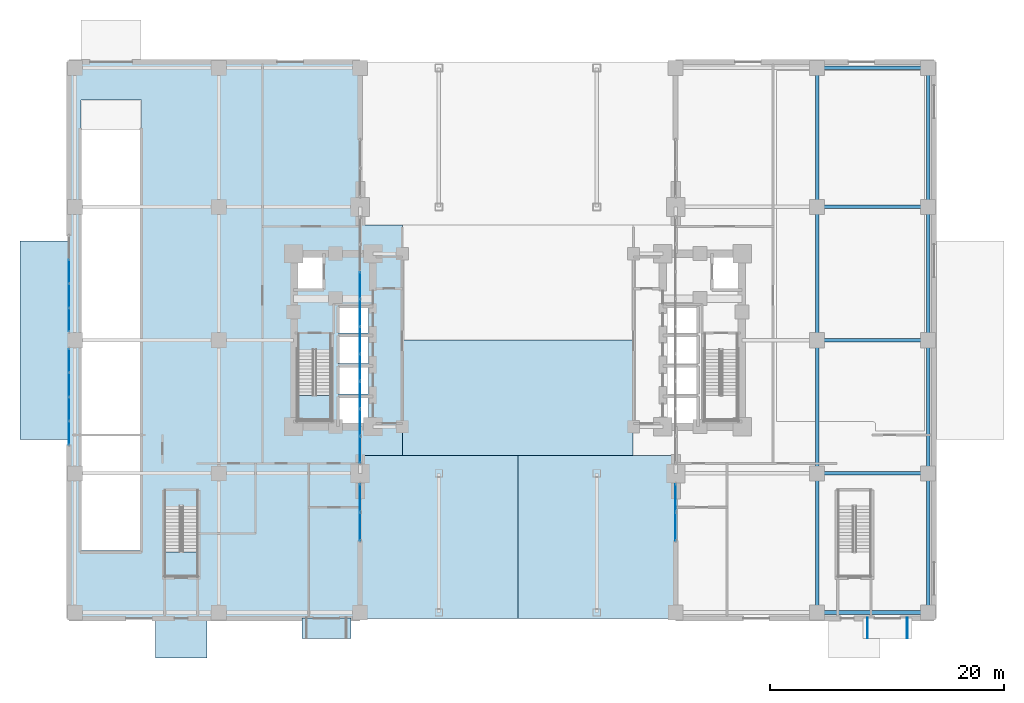
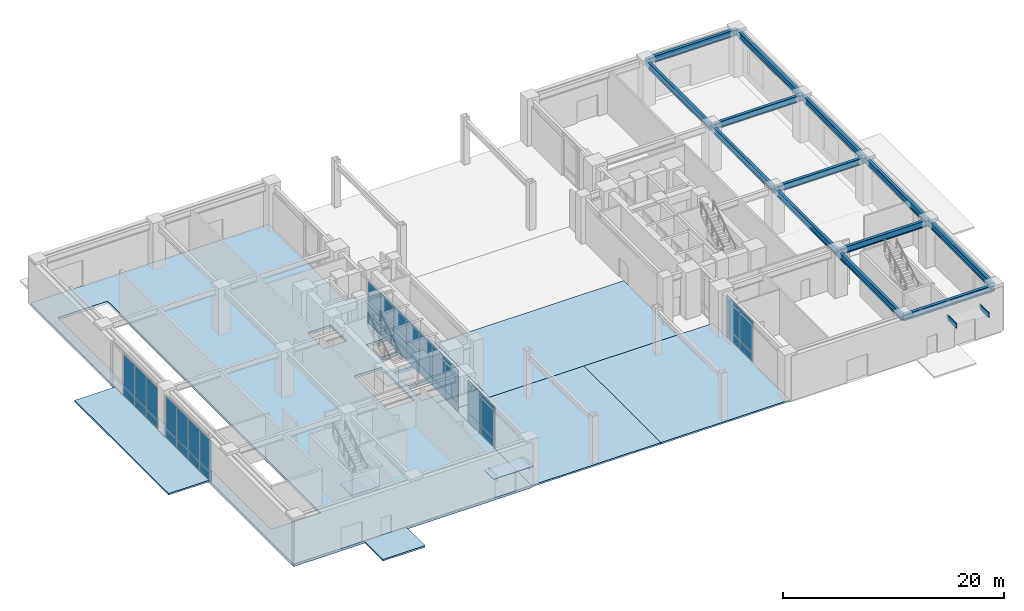
# One storey, part 15 of 23: 37 plates, 13 beams, 8 slabs, 2 members, 8 elements without a shape of their own.
"""IFC4 building model written with IfcOpenShell, lengths in metres."""

from ifc_helpers import new_model, si_unit, direction, frame, origin, origin_2d, place, context, subcontext, project, spatial, polyline, rectangle, i_section, outline, extrude, material, layer, layer_set, material_profile, profile_set, type_object, element, aggregate, save


model = new_model("IFC4")

# Units and contexts
model_context = context("Model", 3, precision=1e-05, world=origin(), true_north=direction((0.0, 1.0)))
body_context = subcontext(model_context, "Body", "Model", "MODEL_VIEW")
ifc_project = project(units=[si_unit("LENGTHUNIT", "METRE"), si_unit("AREAUNIT", "SQUARE_METRE"), si_unit("VOLUMEUNIT", "CUBIC_METRE"), si_unit("PLANEANGLEUNIT", "RADIAN"), si_unit("MASSUNIT", "GRAM", prefix="KILO")], contexts=[model_context])

# Site, building, storey
site_placement = place(None, origin())
site = spatial("IfcSite", under=ifc_project, at=site_placement, CompositionType="ELEMENT")
building_placement = place(site_placement, origin())
building = spatial("IfcBuilding", under=site, at=building_placement, Name="Voryun Gate Residences", CompositionType="ELEMENT")
storey_placement = place(building_placement, origin())
storey = spatial("IfcBuildingStorey", under=building, at=storey_placement, Name="L00", CompositionType="ELEMENT", Elevation=0.0)

# Beams
ifc_material_1 = material(Name="Steel SM355", Category="steel")
ifc_material_profile_1 = material_profile(ifc_material_1, i_section(OverallWidth=0.300048828125, OverallDepth=0.699951171875, WebThickness=0.012939453125, FlangeThickness=0.02392578125, FilletRadius=0.01806640625, at=origin_2d()), Name="H-700x300x13x24")
ifc_profile_set_1 = profile_set([ifc_material_profile_1], Name="Steel SM355")
beam_type = type_object("IfcBeamType", Name="BM_GIRD_700", PredefinedType="USERDEFINED", material=ifc_profile_set_1)
for number, where, z_axis, x_axis, name in (
    (1, (25.60009765625, -23.300048828125, 4.570068359375), (1.0, 0.0, 0.0), (0.0, 1.0, 0.0), "BM-L00-PEX--23.3-1"),
    (2, (25.60009765625, -11.39990234375, 4.570068359375), (1.0, 0.0, 0.0), (0.0, 1.0, 0.0), "BM-L00-PEX--11.4-1"),
    (3, (25.60009765625, 0.0, 4.570068359375), (1.0, 0.0, 0.0), (0.0, 1.0, 0.0), "BM-L00-PEX-+0.0-1"),
    (4, (25.60009765625, 11.39990234375, 4.570068359375), (1.0, 0.0, 0.0), (0.0, 1.0, 0.0), "BM-L00-PEX-+11.4-1"),
    (5, (25.60009765625, 23.300048828125, 4.570068359375), (1.0, 0.0, 0.0), (0.0, 1.0, 0.0), "BM-L00-PEX-+23.3-1"),
):
    element("IfcBeam", number, at=place(storey_placement, frame(where, z_axis=z_axis, x_axis=x_axis)), inside=storey, type_object=beam_type, Name=name, ObjectType="GIRDER", PredefinedType="USERDEFINED", context=body_context, shape_type="SweptSolid", body=[
        extrude(i_section(OverallWidth=0.300048828125, OverallDepth=0.699951171875, WebThickness=0.012939453125, FlangeThickness=0.02392578125, FilletRadius=0.01806640625, at=origin_2d()), origin(), (0.0, 0.0, 1.0), 9.5),
    ])
beam_1_placement = place(storey_placement, frame((25.60009765625, -23.300048828125, 4.570068359375), z_axis=(0.0, 1.0, 0.0), x_axis=(-1.0, 0.0, 0.0)))
element("IfcBeam", 6, at=beam_1_placement, inside=storey, type_object=beam_type, Name="BM-L00-PEY-+25.6-0", ObjectType="GIRDER", PredefinedType="USERDEFINED", context=body_context, shape_type="SweptSolid", body=[
    extrude(i_section(OverallWidth=0.300048828125, OverallDepth=0.699951171875, WebThickness=0.012939453125, FlangeThickness=0.02392578125, FilletRadius=0.01806640625, at=origin_2d()), origin(), (0.0, 0.0, 1.0), 11.900146484375),
])
for number, where, z_axis, x_axis, name in (
    (7, (25.60009765625, -11.39990234375, 4.570068359375), (0.0, 1.0, 0.0), (-1.0, 0.0, 0.0), "BM-L00-PEY-+25.6-1"),
    (8, (25.60009765625, 0.0, 4.570068359375), (0.0, 1.0, 0.0), (-1.0, 0.0, 0.0), "BM-L00-PEY-+25.6-2"),
):
    element("IfcBeam", number, at=place(storey_placement, frame(where, z_axis=z_axis, x_axis=x_axis)), inside=storey, type_object=beam_type, Name=name, ObjectType="GIRDER", PredefinedType="USERDEFINED", context=body_context, shape_type="SweptSolid", body=[
        extrude(i_section(OverallWidth=0.300048828125, OverallDepth=0.699951171875, WebThickness=0.012939453125, FlangeThickness=0.02392578125, FilletRadius=0.01806640625, at=origin_2d()), origin(), (0.0, 0.0, 1.0), 11.39990234375),
    ])
for number, where, z_axis, x_axis, name in (
    (9, (25.60009765625, 11.39990234375, 4.570068359375), (0.0, 1.0, 0.0), (-1.0, 0.0, 0.0), "BM-L00-PEY-+25.6-3"),
    (10, (35.10009765625, -23.300048828125, 4.570068359375), (0.0, 1.0, 0.0), (-1.0, 0.0, 0.0), "BM-L00-PEY-+35.1-0"),
):
    element("IfcBeam", number, at=place(storey_placement, frame(where, z_axis=z_axis, x_axis=x_axis)), inside=storey, type_object=beam_type, Name=name, ObjectType="GIRDER", PredefinedType="USERDEFINED", context=body_context, shape_type="SweptSolid", body=[
        extrude(i_section(OverallWidth=0.300048828125, OverallDepth=0.699951171875, WebThickness=0.012939453125, FlangeThickness=0.02392578125, FilletRadius=0.01806640625, at=origin_2d()), origin(), (0.0, 0.0, 1.0), 11.900146484375),
    ])
for number, where, z_axis, x_axis, name in (
    (11, (35.10009765625, -11.39990234375, 4.570068359375), (0.0, 1.0, 0.0), (-1.0, 0.0, 0.0), "BM-L00-PEY-+35.1-1"),
    (12, (35.10009765625, 0.0, 4.570068359375), (0.0, 1.0, 0.0), (-1.0, 0.0, 0.0), "BM-L00-PEY-+35.1-2"),
):
    element("IfcBeam", number, at=place(storey_placement, frame(where, z_axis=z_axis, x_axis=x_axis)), inside=storey, type_object=beam_type, Name=name, ObjectType="GIRDER", PredefinedType="USERDEFINED", context=body_context, shape_type="SweptSolid", body=[
        extrude(i_section(OverallWidth=0.300048828125, OverallDepth=0.699951171875, WebThickness=0.012939453125, FlangeThickness=0.02392578125, FilletRadius=0.01806640625, at=origin_2d()), origin(), (0.0, 0.0, 1.0), 11.39990234375),
    ])
beam_2_placement = place(storey_placement, frame((35.10009765625, 11.39990234375, 4.570068359375), z_axis=(0.0, 1.0, 0.0), x_axis=(-1.0, 0.0, 0.0)))
element("IfcBeam", 13, at=beam_2_placement, inside=storey, type_object=beam_type, Name="BM-L00-PEY-+35.1-3", ObjectType="GIRDER", PredefinedType="USERDEFINED", context=body_context, shape_type="SweptSolid", body=[
    extrude(i_section(OverallWidth=0.300048828125, OverallDepth=0.699951171875, WebThickness=0.012939453125, FlangeThickness=0.02392578125, FilletRadius=0.01806640625, at=origin_2d()), origin(), (0.0, 0.0, 1.0), 11.900146484375),
])

# Curtain wall, members
ifc_material_2 = material(Name="Anodised aluminium", Category="aluminium")
ifc_layer_1 = layer(ifc_material_2, 0.239990234375, Name="CW_SYS_ARCH_DARK_GLASS")
ifc_layer_set_1 = layer_set([ifc_layer_1], Name="Anodised aluminium")
curtain_wall_type_1 = type_object("IfcCurtainWallType", Name="CW_SYS_ARCH_DARK_GLASS", PredefinedType="NOTDEFINED", material=ifc_layer_set_1)
curtain_wall_1_placement = place(storey_placement, origin())
curtain_wall_1 = element("IfcCurtainWall", 14, at=curtain_wall_1_placement, inside=storey, type_object=curtain_wall_type_1, Name="Curtain wall CW2-L00-EP-M", PredefinedType="NOTDEFINED")
ifc_material_3 = material(Name="Anodised aluminium", Category="aluminium")
ifc_material_profile_2 = material_profile(ifc_material_3, rectangle(XDim=0.080078125, YDim=0.550048828125, at=origin_2d()), Name="ALU-EAVE-80x550")
ifc_profile_set_2 = profile_set([ifc_material_profile_2], Name="Anodised aluminium")
member_type = type_object("IfcMemberType", Name="MBR_PAGODA_EAVE_FIN", PredefinedType="USERDEFINED", material=ifc_profile_set_2)
member_1_placement = place(storey_placement, frame((29.922119140625, -23.75, 3.419921875), z_axis=(0.0, -1.0, 0.0), x_axis=(1.0, 0.0, 0.0)))
member_1 = element("IfcMember", 15, at=member_1_placement, type_object=member_type, Name="Canopy outrigger arm CBR-L00-EP-1-1", ObjectType="SUNSHADE", PredefinedType="USERDEFINED", context=body_context, shape_type="SweptSolid", body=[
    extrude(rectangle(XDim=0.080078125, YDim=0.550048828125, at=origin_2d()), origin(), (0.0, 0.0, 1.0), 1.75),
])
member_2_placement = place(storey_placement, frame((33.322021484375, -23.75, 3.419921875), z_axis=(0.0, -1.0, 0.0), x_axis=(1.0, 0.0, 0.0)))
member_2 = element("IfcMember", 16, at=member_2_placement, type_object=member_type, Name="Canopy outrigger arm CBR-L00-EP-1-2", ObjectType="SUNSHADE", PredefinedType="USERDEFINED", context=body_context, shape_type="SweptSolid", body=[
    extrude(rectangle(XDim=0.080078125, YDim=0.550048828125, at=origin_2d()), origin(), (0.0, 0.0, 1.0), 1.75),
])
aggregate(curtain_wall_1, [member_1, member_2])

# Plate
ifc_material_4 = material(Name="Anodised aluminium", Category="aluminium")
ifc_layer_2 = layer(ifc_material_4, 0.06005859375, Name="PLT_EAVE_SOFFIT_BLACK")
ifc_layer_set_2 = layer_set([ifc_layer_2], Name="Anodised aluminium")
plate_type_1 = type_object("IfcPlateType", Name="PLT_EAVE_SOFFIT_BLACK", PredefinedType="USERDEFINED", material=ifc_layer_set_2)
plate_1_placement = place(storey_placement, frame((-16.382080078125, -24.64990234375, 3.389892578125), z_axis=(0.0, 0.0, 1.0), x_axis=(1.0, 0.0, 0.0)))
element("IfcPlate", 17, at=plate_1_placement, inside=storey, type_object=plate_type_1, Name="Entrance canopy CNP-L00-WP-1", ObjectType="FLANGE_PLATE", PredefinedType="USERDEFINED", context=body_context, shape_type="SweptSolid", body=[
    extrude(rectangle(XDim=4.199951171875, YDim=1.75, at=origin_2d()), origin(), (0.0, 0.0, 1.0), 0.06005859375),
])

# Curtain wall, plates
curtain_wall_2_placement = place(storey_placement, origin())
curtain_wall_2 = element("IfcCurtainWall", 18, at=curtain_wall_2_placement, inside=storey, type_object=curtain_wall_type_1, Name="Curtain wall CW2-L00-WP-S", PredefinedType="NOTDEFINED")
ifc_material_5 = material(Name="Laminated low-E glass", Category="glass")
ifc_layer_3 = layer(ifc_material_5, 0.048095703125, Name="PLT_GLASS_DARK_POD")
ifc_layer_set_3 = layer_set([ifc_layer_3], Name="Laminated low-E glass")
plate_type_2 = type_object("IfcPlateType", Name="PLT_GLASS_DARK_POD", PredefinedType="CURTAIN_PANEL", material=ifc_layer_set_3)
plate_2_placement = place(storey_placement, frame((-13.5, -15.9462890625, 0.06005859375), z_axis=(0.0, 0.0, 1.0), x_axis=(0.0, 1.0, 0.0)))
plate_2 = element("IfcPlate", 19, at=plate_2_placement, type_object=plate_type_2, Name="CW2 panel 1.1", PredefinedType="CURTAIN_PANEL", context=body_context, shape_type="SweptSolid", body=[
    extrude(rectangle(XDim=2.387451171875, YDim=0.028076171875, at=origin_2d()), origin(), (0.0, 0.0, 1.0), 0.9599609375),
])
plate_3_placement = place(storey_placement, frame((-13.5, -15.9462890625, 1.080078125), z_axis=(0.0, 0.0, 1.0), x_axis=(0.0, 1.0, 0.0)))
plate_3 = element("IfcPlate", 20, at=plate_3_placement, type_object=plate_type_2, Name="CW2 panel 1.2", PredefinedType="CURTAIN_PANEL", context=body_context, shape_type="SweptSolid", body=[
    extrude(rectangle(XDim=2.387451171875, YDim=0.028076171875, at=origin_2d()), origin(), (0.0, 0.0, 1.0), 3.56005859375),
])
plate_4_placement = place(storey_placement, frame((-13.5, -13.498779296875, 0.06005859375), z_axis=(0.0, 0.0, 1.0), x_axis=(0.0, 1.0, 0.0)))
plate_4 = element("IfcPlate", 21, at=plate_4_placement, type_object=plate_type_2, Name="CW2 panel 2.1", PredefinedType="CURTAIN_PANEL", context=body_context, shape_type="SweptSolid", body=[
    extrude(rectangle(XDim=2.387451171875, YDim=0.028076171875, at=origin_2d()), origin(), (0.0, 0.0, 1.0), 0.9599609375),
])
plate_5_placement = place(storey_placement, frame((-13.5, -13.498779296875, 1.080078125), z_axis=(0.0, 0.0, 1.0), x_axis=(0.0, 1.0, 0.0)))
plate_5 = element("IfcPlate", 22, at=plate_5_placement, type_object=plate_type_2, Name="CW2 panel 2.2", PredefinedType="CURTAIN_PANEL", context=body_context, shape_type="SweptSolid", body=[
    extrude(rectangle(XDim=2.387451171875, YDim=0.028076171875, at=origin_2d()), origin(), (0.0, 0.0, 1.0), 3.56005859375),
])
aggregate(curtain_wall_2, [plate_2, plate_3, plate_4, plate_5])

curtain_wall_3_placement = place(storey_placement, origin())
curtain_wall_3 = element("IfcCurtainWall", 23, at=curtain_wall_3_placement, inside=storey, type_object=curtain_wall_type_1, Name="Curtain wall CW2-L00-WP-M", PredefinedType="NOTDEFINED")
plate_6_placement = place(storey_placement, frame((-13.5, -9.3671875, 0.06005859375), z_axis=(0.0, 0.0, 1.0), x_axis=(0.0, 1.0, 0.0)))
plate_6 = element("IfcPlate", 24, at=plate_6_placement, type_object=plate_type_2, Name="CW2 panel 1.1", PredefinedType="CURTAIN_PANEL", context=body_context, shape_type="SweptSolid", body=[
    extrude(rectangle(XDim=2.255615234375, YDim=0.028076171875, at=origin_2d()), origin(), (0.0, 0.0, 1.0), 0.9599609375),
])
plate_7_placement = place(storey_placement, frame((-13.5, -9.3671875, 1.080078125), z_axis=(0.0, 0.0, 1.0), x_axis=(0.0, 1.0, 0.0)))
plate_7 = element("IfcPlate", 25, at=plate_7_placement, type_object=plate_type_2, Name="CW2 panel 1.2", PredefinedType="CURTAIN_PANEL", context=body_context, shape_type="SweptSolid", body=[
    extrude(rectangle(XDim=2.255615234375, YDim=0.028076171875, at=origin_2d()), origin(), (0.0, 0.0, 1.0), 3.56005859375),
])
plate_8_placement = place(storey_placement, frame((-13.5, -7.03662109375, 0.06005859375), z_axis=(0.0, 0.0, 1.0), x_axis=(0.0, 1.0, 0.0)))
plate_8 = element("IfcPlate", 26, at=plate_8_placement, type_object=plate_type_2, Name="CW2 panel 2.1", PredefinedType="CURTAIN_PANEL", context=body_context, shape_type="SweptSolid", body=[
    extrude(rectangle(XDim=2.28564453125, YDim=0.028076171875, at=origin_2d()), origin(), (0.0, 0.0, 1.0), 0.9599609375),
])
plate_9_placement = place(storey_placement, frame((-13.5, -7.03662109375, 1.080078125), z_axis=(0.0, 0.0, 1.0), x_axis=(0.0, 1.0, 0.0)))
plate_9 = element("IfcPlate", 27, at=plate_9_placement, type_object=plate_type_2, Name="CW2 panel 2.2", PredefinedType="CURTAIN_PANEL", context=body_context, shape_type="SweptSolid", body=[
    extrude(rectangle(XDim=2.28564453125, YDim=0.028076171875, at=origin_2d()), origin(), (0.0, 0.0, 1.0), 3.56005859375),
])
plate_10_placement = place(storey_placement, frame((-13.5, -4.691162109375, 0.06005859375), z_axis=(0.0, 0.0, 1.0), x_axis=(0.0, 1.0, 0.0)))
plate_10 = element("IfcPlate", 28, at=plate_10_placement, type_object=plate_type_2, Name="CW2 panel 3.1", PredefinedType="CURTAIN_PANEL", context=body_context, shape_type="SweptSolid", body=[
    extrude(rectangle(XDim=2.28564453125, YDim=0.028076171875, at=origin_2d()), origin(), (0.0, 0.0, 1.0), 0.9599609375),
])
plate_11_placement = place(storey_placement, frame((-13.5, -4.691162109375, 1.080078125), z_axis=(0.0, 0.0, 1.0), x_axis=(0.0, 1.0, 0.0)))
plate_11 = element("IfcPlate", 29, at=plate_11_placement, type_object=plate_type_2, Name="CW2 panel 3.2", PredefinedType="CURTAIN_PANEL", context=body_context, shape_type="SweptSolid", body=[
    extrude(rectangle(XDim=2.28564453125, YDim=0.028076171875, at=origin_2d()), origin(), (0.0, 0.0, 1.0), 3.56005859375),
])
plate_12_placement = place(storey_placement, frame((-13.5, -2.345458984375, 0.06005859375), z_axis=(0.0, 0.0, 1.0), x_axis=(0.0, 1.0, 0.0)))
plate_12 = element("IfcPlate", 30, at=plate_12_placement, type_object=plate_type_2, Name="CW2 panel 4.1", PredefinedType="CURTAIN_PANEL", context=body_context, shape_type="SweptSolid", body=[
    extrude(rectangle(XDim=2.28564453125, YDim=0.028076171875, at=origin_2d()), origin(), (0.0, 0.0, 1.0), 0.9599609375),
])
plate_13_placement = place(storey_placement, frame((-13.5, -2.345458984375, 1.080078125), z_axis=(0.0, 0.0, 1.0), x_axis=(0.0, 1.0, 0.0)))
plate_13 = element("IfcPlate", 31, at=plate_13_placement, type_object=plate_type_2, Name="CW2 panel 4.2", PredefinedType="CURTAIN_PANEL", context=body_context, shape_type="SweptSolid", body=[
    extrude(rectangle(XDim=2.28564453125, YDim=0.028076171875, at=origin_2d()), origin(), (0.0, 0.0, 1.0), 3.56005859375),
])
plate_14_placement = place(storey_placement, frame((-13.5, 0.0, 0.06005859375), z_axis=(0.0, 0.0, 1.0), x_axis=(0.0, 1.0, 0.0)))
plate_14 = element("IfcPlate", 32, at=plate_14_placement, type_object=plate_type_2, Name="CW2 panel 5.1", PredefinedType="CURTAIN_PANEL", context=body_context, shape_type="SweptSolid", body=[
    extrude(rectangle(XDim=2.28564453125, YDim=0.028076171875, at=origin_2d()), origin(), (0.0, 0.0, 1.0), 0.9599609375),
])
plate_15_placement = place(storey_placement, frame((-13.5, 0.0, 1.080078125), z_axis=(0.0, 0.0, 1.0), x_axis=(0.0, 1.0, 0.0)))
plate_15 = element("IfcPlate", 33, at=plate_15_placement, type_object=plate_type_2, Name="CW2 panel 5.2", PredefinedType="CURTAIN_PANEL", context=body_context, shape_type="SweptSolid", body=[
    extrude(rectangle(XDim=2.28564453125, YDim=0.028076171875, at=origin_2d()), origin(), (0.0, 0.0, 1.0), 3.56005859375),
])
plate_16_placement = place(storey_placement, frame((-13.5, 2.345458984375, 0.06005859375), z_axis=(0.0, 0.0, 1.0), x_axis=(0.0, 1.0, 0.0)))
plate_16 = element("IfcPlate", 34, at=plate_16_placement, type_object=plate_type_2, Name="CW2 panel 6.1", PredefinedType="CURTAIN_PANEL", context=body_context, shape_type="SweptSolid", body=[
    extrude(rectangle(XDim=2.28564453125, YDim=0.028076171875, at=origin_2d()), origin(), (0.0, 0.0, 1.0), 0.9599609375),
])
plate_17_placement = place(storey_placement, frame((-13.5, 2.345458984375, 1.080078125), z_axis=(0.0, 0.0, 1.0), x_axis=(0.0, 1.0, 0.0)))
plate_17 = element("IfcPlate", 35, at=plate_17_placement, type_object=plate_type_2, Name="CW2 panel 6.2", PredefinedType="CURTAIN_PANEL", context=body_context, shape_type="SweptSolid", body=[
    extrude(rectangle(XDim=2.28564453125, YDim=0.028076171875, at=origin_2d()), origin(), (0.0, 0.0, 1.0), 3.56005859375),
])
plate_18_placement = place(storey_placement, frame((-13.5, 4.691162109375, 0.06005859375), z_axis=(0.0, 0.0, 1.0), x_axis=(0.0, 1.0, 0.0)))
plate_18 = element("IfcPlate", 36, at=plate_18_placement, type_object=plate_type_2, Name="CW2 panel 7.1", PredefinedType="CURTAIN_PANEL", context=body_context, shape_type="SweptSolid", body=[
    extrude(rectangle(XDim=2.28564453125, YDim=0.028076171875, at=origin_2d()), origin(), (0.0, 0.0, 1.0), 0.9599609375),
])
plate_19_placement = place(storey_placement, frame((-13.5, 4.691162109375, 1.080078125), z_axis=(0.0, 0.0, 1.0), x_axis=(0.0, 1.0, 0.0)))
plate_19 = element("IfcPlate", 37, at=plate_19_placement, type_object=plate_type_2, Name="CW2 panel 7.2", PredefinedType="CURTAIN_PANEL", context=body_context, shape_type="SweptSolid", body=[
    extrude(rectangle(XDim=2.28564453125, YDim=0.028076171875, at=origin_2d()), origin(), (0.0, 0.0, 1.0), 3.56005859375),
])
aggregate(curtain_wall_3, [plate_6, plate_7, plate_8, plate_9, plate_10, plate_11, plate_12, plate_13, plate_14, plate_15, plate_16, plate_17, plate_18, plate_19])

ifc_material_6 = material(Name="Anodised aluminium", Category="aluminium")
ifc_layer_4 = layer(ifc_material_6, 0.219970703125, Name="CW_SYS_POD_DARK_GLASS")
ifc_layer_set_4 = layer_set([ifc_layer_4], Name="Anodised aluminium")
curtain_wall_type_2 = type_object("IfcCurtainWallType", Name="CW_SYS_POD_DARK_GLASS", PredefinedType="NOTDEFINED", material=ifc_layer_set_4)
curtain_wall_4_placement = place(storey_placement, origin())
curtain_wall_4 = element("IfcCurtainWall", 38, at=curtain_wall_4_placement, inside=storey, type_object=curtain_wall_type_2, Name="Curtain wall CW1-L00-WPW-S", PredefinedType="NOTDEFINED")
plate_20_placement = place(storey_placement, frame((-38.39990234375, -7.94677734375, 0.06005859375), z_axis=(0.0, 0.0, 1.0), x_axis=(0.0, 1.0, 0.0)))
plate_20 = element("IfcPlate", 39, at=plate_20_placement, type_object=plate_type_2, Name="CW1 panel 1.1", PredefinedType="CURTAIN_PANEL", context=body_context, shape_type="SweptSolid", body=[
    extrude(rectangle(XDim=1.986328125, YDim=0.028076171875, at=origin_2d()), origin(), (0.0, 0.0, 1.0), 0.9599609375),
])
plate_21_placement = place(storey_placement, frame((-38.39990234375, -7.94677734375, 1.080078125), z_axis=(0.0, 0.0, 1.0), x_axis=(0.0, 1.0, 0.0)))
plate_21 = element("IfcPlate", 40, at=plate_21_placement, type_object=plate_type_2, Name="CW1 panel 1.2", PredefinedType="CURTAIN_PANEL", context=body_context, shape_type="SweptSolid", body=[
    extrude(rectangle(XDim=1.986328125, YDim=0.028076171875, at=origin_2d()), origin(), (0.0, 0.0, 1.0), 3.56005859375),
])
plate_22_placement = place(storey_placement, frame((-38.39990234375, -5.8857421875, 0.06005859375), z_axis=(0.0, 0.0, 1.0), x_axis=(0.0, 1.0, 0.0)))
plate_22 = element("IfcPlate", 41, at=plate_22_placement, type_object=plate_type_2, Name="CW1 panel 2.1", PredefinedType="CURTAIN_PANEL", context=body_context, shape_type="SweptSolid", body=[
    extrude(rectangle(XDim=2.016357421875, YDim=0.028076171875, at=origin_2d()), origin(), (0.0, 0.0, 1.0), 0.9599609375),
])
plate_23_placement = place(storey_placement, frame((-38.39990234375, -5.8857421875, 1.080078125), z_axis=(0.0, 0.0, 1.0), x_axis=(0.0, 1.0, 0.0)))
plate_23 = element("IfcPlate", 42, at=plate_23_placement, type_object=plate_type_2, Name="CW1 panel 2.2", PredefinedType="CURTAIN_PANEL", context=body_context, shape_type="SweptSolid", body=[
    extrude(rectangle(XDim=2.016357421875, YDim=0.028076171875, at=origin_2d()), origin(), (0.0, 0.0, 1.0), 3.56005859375),
])
plate_24_placement = place(storey_placement, frame((-38.39990234375, -3.809326171875, 0.06005859375), z_axis=(0.0, 0.0, 1.0), x_axis=(0.0, 1.0, 0.0)))
plate_24 = element("IfcPlate", 43, at=plate_24_placement, type_object=plate_type_2, Name="CW1 panel 3.1", PredefinedType="CURTAIN_PANEL", context=body_context, shape_type="SweptSolid", body=[
    extrude(rectangle(XDim=2.016357421875, YDim=0.028076171875, at=origin_2d()), origin(), (0.0, 0.0, 1.0), 0.9599609375),
])
plate_25_placement = place(storey_placement, frame((-38.39990234375, -3.809326171875, 1.080078125), z_axis=(0.0, 0.0, 1.0), x_axis=(0.0, 1.0, 0.0)))
plate_25 = element("IfcPlate", 44, at=plate_25_placement, type_object=plate_type_2, Name="CW1 panel 3.2", PredefinedType="CURTAIN_PANEL", context=body_context, shape_type="SweptSolid", body=[
    extrude(rectangle(XDim=2.016357421875, YDim=0.028076171875, at=origin_2d()), origin(), (0.0, 0.0, 1.0), 3.56005859375),
])
plate_26_placement = place(storey_placement, frame((-38.39990234375, -1.748046875, 0.06005859375), z_axis=(0.0, 0.0, 1.0), x_axis=(0.0, 1.0, 0.0)))
plate_26 = element("IfcPlate", 45, at=plate_26_placement, type_object=plate_type_2, Name="CW1 panel 4.1", PredefinedType="CURTAIN_PANEL", context=body_context, shape_type="SweptSolid", body=[
    extrude(rectangle(XDim=1.986328125, YDim=0.028076171875, at=origin_2d()), origin(), (0.0, 0.0, 1.0), 0.9599609375),
])
plate_27_placement = place(storey_placement, frame((-38.39990234375, -1.748046875, 1.080078125), z_axis=(0.0, 0.0, 1.0), x_axis=(0.0, 1.0, 0.0)))
plate_27 = element("IfcPlate", 46, at=plate_27_placement, type_object=plate_type_2, Name="CW1 panel 4.2", PredefinedType="CURTAIN_PANEL", context=body_context, shape_type="SweptSolid", body=[
    extrude(rectangle(XDim=1.986328125, YDim=0.028076171875, at=origin_2d()), origin(), (0.0, 0.0, 1.0), 3.56005859375),
])
aggregate(curtain_wall_4, [plate_20, plate_21, plate_22, plate_23, plate_24, plate_25, plate_26, plate_27])

curtain_wall_5_placement = place(storey_placement, origin())
curtain_wall_5 = element("IfcCurtainWall", 47, at=curtain_wall_5_placement, inside=storey, type_object=curtain_wall_type_2, Name="Curtain wall CW1-L00-WPW-N", PredefinedType="NOTDEFINED")
plate_28_placement = place(storey_placement, frame((-38.39990234375, 1.748046875, 0.06005859375), z_axis=(0.0, 0.0, 1.0), x_axis=(0.0, 1.0, 0.0)))
plate_28 = element("IfcPlate", 48, at=plate_28_placement, type_object=plate_type_2, Name="CW1 panel 1.1", PredefinedType="CURTAIN_PANEL", context=body_context, shape_type="SweptSolid", body=[
    extrude(rectangle(XDim=1.986328125, YDim=0.028076171875, at=origin_2d()), origin(), (0.0, 0.0, 1.0), 0.9599609375),
])
plate_29_placement = place(storey_placement, frame((-38.39990234375, 1.748046875, 1.080078125), z_axis=(0.0, 0.0, 1.0), x_axis=(0.0, 1.0, 0.0)))
plate_29 = element("IfcPlate", 49, at=plate_29_placement, type_object=plate_type_2, Name="CW1 panel 1.2", PredefinedType="CURTAIN_PANEL", context=body_context, shape_type="SweptSolid", body=[
    extrude(rectangle(XDim=1.986328125, YDim=0.028076171875, at=origin_2d()), origin(), (0.0, 0.0, 1.0), 3.56005859375),
])
plate_30_placement = place(storey_placement, frame((-38.39990234375, 3.809326171875, 0.06005859375), z_axis=(0.0, 0.0, 1.0), x_axis=(0.0, 1.0, 0.0)))
plate_30 = element("IfcPlate", 50, at=plate_30_placement, type_object=plate_type_2, Name="CW1 panel 2.1", PredefinedType="CURTAIN_PANEL", context=body_context, shape_type="SweptSolid", body=[
    extrude(rectangle(XDim=2.016357421875, YDim=0.028076171875, at=origin_2d()), origin(), (0.0, 0.0, 1.0), 0.9599609375),
])
plate_31_placement = place(storey_placement, frame((-38.39990234375, 3.809326171875, 1.080078125), z_axis=(0.0, 0.0, 1.0), x_axis=(0.0, 1.0, 0.0)))
plate_31 = element("IfcPlate", 51, at=plate_31_placement, type_object=plate_type_2, Name="CW1 panel 2.2", PredefinedType="CURTAIN_PANEL", context=body_context, shape_type="SweptSolid", body=[
    extrude(rectangle(XDim=2.016357421875, YDim=0.028076171875, at=origin_2d()), origin(), (0.0, 0.0, 1.0), 3.56005859375),
])
plate_32_placement = place(storey_placement, frame((-38.39990234375, 5.8857421875, 0.06005859375), z_axis=(0.0, 0.0, 1.0), x_axis=(0.0, 1.0, 0.0)))
plate_32 = element("IfcPlate", 52, at=plate_32_placement, type_object=plate_type_2, Name="CW1 panel 3.1", PredefinedType="CURTAIN_PANEL", context=body_context, shape_type="SweptSolid", body=[
    extrude(rectangle(XDim=2.016357421875, YDim=0.028076171875, at=origin_2d()), origin(), (0.0, 0.0, 1.0), 0.9599609375),
])
plate_33_placement = place(storey_placement, frame((-38.39990234375, 5.8857421875, 1.080078125), z_axis=(0.0, 0.0, 1.0), x_axis=(0.0, 1.0, 0.0)))
plate_33 = element("IfcPlate", 53, at=plate_33_placement, type_object=plate_type_2, Name="CW1 panel 3.2", PredefinedType="CURTAIN_PANEL", context=body_context, shape_type="SweptSolid", body=[
    extrude(rectangle(XDim=2.016357421875, YDim=0.028076171875, at=origin_2d()), origin(), (0.0, 0.0, 1.0), 3.56005859375),
])
aggregate(curtain_wall_5, [plate_28, plate_29, plate_30, plate_31, plate_32, plate_33])

curtain_wall_6_placement = place(storey_placement, origin())
curtain_wall_6 = element("IfcCurtainWall", 54, at=curtain_wall_6_placement, inside=storey, type_object=curtain_wall_type_1, Name="Curtain wall CW2-L00-EP-S", PredefinedType="NOTDEFINED")
plate_34_placement = place(storey_placement, frame((13.5, -15.9462890625, 0.06005859375), z_axis=(0.0, 0.0, 1.0), x_axis=(0.0, 1.0, 0.0)))
plate_34 = element("IfcPlate", 55, at=plate_34_placement, type_object=plate_type_2, Name="CW2 panel 1.1", PredefinedType="CURTAIN_PANEL", context=body_context, shape_type="SweptSolid", body=[
    extrude(rectangle(XDim=2.387451171875, YDim=0.028076171875, at=origin_2d()), origin(), (0.0, 0.0, 1.0), 0.9599609375),
])
plate_35_placement = place(storey_placement, frame((13.5, -15.9462890625, 1.080078125), z_axis=(0.0, 0.0, 1.0), x_axis=(0.0, 1.0, 0.0)))
plate_35 = element("IfcPlate", 56, at=plate_35_placement, type_object=plate_type_2, Name="CW2 panel 1.2", PredefinedType="CURTAIN_PANEL", context=body_context, shape_type="SweptSolid", body=[
    extrude(rectangle(XDim=2.387451171875, YDim=0.028076171875, at=origin_2d()), origin(), (0.0, 0.0, 1.0), 3.56005859375),
])
plate_36_placement = place(storey_placement, frame((13.5, -13.498779296875, 0.06005859375), z_axis=(0.0, 0.0, 1.0), x_axis=(0.0, 1.0, 0.0)))
plate_36 = element("IfcPlate", 57, at=plate_36_placement, type_object=plate_type_2, Name="CW2 panel 2.1", PredefinedType="CURTAIN_PANEL", context=body_context, shape_type="SweptSolid", body=[
    extrude(rectangle(XDim=2.387451171875, YDim=0.028076171875, at=origin_2d()), origin(), (0.0, 0.0, 1.0), 0.9599609375),
])
plate_37_placement = place(storey_placement, frame((13.5, -13.498779296875, 1.080078125), z_axis=(0.0, 0.0, 1.0), x_axis=(0.0, 1.0, 0.0)))
plate_37 = element("IfcPlate", 58, at=plate_37_placement, type_object=plate_type_2, Name="CW2 panel 2.2", PredefinedType="CURTAIN_PANEL", context=body_context, shape_type="SweptSolid", body=[
    extrude(rectangle(XDim=2.387451171875, YDim=0.028076171875, at=origin_2d()), origin(), (0.0, 0.0, 1.0), 3.56005859375),
])
aggregate(curtain_wall_6, [plate_34, plate_35, plate_36, plate_37])

# Slabs
ifc_material_7 = material(Name="Granite masonry", Category="masonry")
ifc_layer_5 = layer(ifc_material_7, 0.179931640625, Name="SLB_PLAZA_PAVING_180")
ifc_layer_set_5 = layer_set([ifc_layer_5], Name="Granite masonry")
slab_type_1 = type_object("IfcSlabType", Name="SLB_PLAZA_PAVING_180", PredefinedType="USERDEFINED", material=ifc_layer_set_5)
slab_1_placement = place(storey_placement, frame((0.0, 0.0, -0.179931640625)))
element("IfcSlab", 59, at=slab_1_placement, inside=storey, type_object=slab_type_1, Name="L00 South-West Arch Concourse Granite Paving", ObjectType="PAVING", PredefinedType="USERDEFINED", context=body_context, shape_type="SweptSolid", body=[
    extrude(outline(polyline([(0.0, -9.85009765625), (0.0, -23.800048828125), (-13.5, -23.800048828125), (-13.5, -9.85009765625), (-9.85009765625, -9.85009765625), (0.0, -9.85009765625)])), origin(), (0.0, 0.0, 1.0), 0.179931640625),
])
slab_2_placement = place(storey_placement, frame((0.0, 0.0, -0.179931640625)))
element("IfcSlab", 60, at=slab_2_placement, inside=storey, type_object=slab_type_1, Name="L00 South-East Arch Concourse Granite Paving", ObjectType="PAVING", PredefinedType="USERDEFINED", context=body_context, shape_type="SweptSolid", body=[
    extrude(outline(polyline([(13.5, -23.800048828125), (0.0, -23.800048828125), (0.0, -9.85009765625), (9.85009765625, -9.85009765625), (13.5, -9.85009765625), (13.5, -23.800048828125)])), origin(), (0.0, 0.0, 1.0), 0.179931640625),
])
slab_3_placement = place(storey_placement, frame((0.0, 0.0, -0.179931640625)))
element("IfcSlab", 61, at=slab_3_placement, inside=storey, type_object=slab_type_1, Name="L00 Central-South Arch Concourse Granite Paving", ObjectType="PAVING", PredefinedType="USERDEFINED", context=body_context, shape_type="SweptSolid", body=[
    extrude(outline(polyline([(-9.85009765625, -9.85009765625), (-9.85009765625, 0.0), (9.85009765625, 0.0), (9.85009765625, -9.85009765625), (-9.85009765625, -9.85009765625)])), origin(), (0.0, 0.0, 1.0), 0.179931640625),
])
slab_4_placement = place(storey_placement, frame((0.0, 0.0, -0.179931640625)))
element("IfcSlab", 62, at=slab_4_placement, inside=storey, type_object=slab_type_1, Name="L00 West Escape Stair Exterior Discharge Apron", ObjectType="PAVING", PredefinedType="USERDEFINED", context=body_context, shape_type="SweptSolid", body=[
    extrude(outline(polyline([(-31.0, -23.800048828125), (-26.60009765625, -23.800048828125), (-26.60009765625, -27.199951171875), (-31.0, -27.199951171875), (-31.0, -23.800048828125)])), origin(), (0.0, 0.0, 1.0), 0.179931640625),
])
slab_5_placement = place(storey_placement, frame((0.0, 0.0, -0.179931640625)))
element("IfcSlab", 63, at=slab_5_placement, inside=storey, type_object=slab_type_1, Name="L00 West Arrival Forecourt Granite Plaza", ObjectType="PAVING", PredefinedType="USERDEFINED", context=body_context, shape_type="SweptSolid", body=[
    extrude(outline(polyline([(-42.60009765625, 8.5), (-38.39990234375, 8.5), (-38.39990234375, -8.5), (-42.60009765625, -8.5), (-42.60009765625, 8.5)])), origin(), (0.0, 0.0, 1.0), 0.179931640625),
])
ifc_material_8 = material(Name="Concrete C50/60", Category="concrete")
ifc_layer_6 = layer(ifc_material_8, 0.280029296875, Name="SLB_POD_280")
ifc_layer_set_6 = layer_set([ifc_layer_6], Name="Concrete C50/60")
slab_type_2 = type_object("IfcSlabType", Name="SLB_POD_280", PredefinedType="FLOOR", material=ifc_layer_set_6)
slab_6_placement = place(storey_placement, frame((0.0, 0.0, -0.280029296875)))
element("IfcSlab", 64, at=slab_6_placement, inside=storey, type_object=slab_type_2, Name="L00 West Podium Pier Slab", PredefinedType="FLOOR", context=body_context, shape_type="SweptSolid", body=[
    extrude(outline(polyline([(-38.39990234375, -23.800048828125), (-38.39990234375, 23.800048828125), (-13.5, 23.800048828125), (-13.5, 9.85009765625), (-9.85009765625, 9.85009765625), (-9.85009765625, -9.85009765625), (-13.5, -9.85009765625), (-13.5, -23.800048828125), (-38.39990234375, -23.800048828125)]), holes=[polyline([(-12.800048828125, -4.800048828125), (-15.39990234375, -4.800048828125), (-15.39990234375, -7.199951171875), (-12.800048828125, -7.199951171875), (-12.800048828125, -4.800048828125)]), polyline([(-18.824951171875, -6.85009765625), (-15.97509765625, -6.85009765625), (-15.97509765625, -0.840087890625), (-18.824951171875, -0.840087890625), (-18.824951171875, -6.85009765625)]), polyline([(-12.800048828125, -4.60009765625), (-12.800048828125, -2.199951171875), (-15.39990234375, -2.199951171875), (-15.39990234375, -4.60009765625), (-12.800048828125, -4.60009765625)]), polyline([(-12.800048828125, 0.39990234375), (-15.39990234375, 0.39990234375), (-15.39990234375, -2.0), (-12.800048828125, -2.0), (-12.800048828125, 0.39990234375)]), polyline([(-32.199951171875, -18.0), (-32.199951171875, 20.550048828125), (-37.39990234375, 20.550048828125), (-37.39990234375, -18.0), (-32.199951171875, -18.0)]), polyline([(-12.800048828125, 0.60009765625), (-12.800048828125, 2.89990234375), (-15.39990234375, 2.89990234375), (-15.39990234375, 0.60009765625), (-12.800048828125, 0.60009765625)]), polyline([(-16.60009765625, 7.199951171875), (-19.0, 7.199951171875), (-19.0, 4.300048828125), (-16.60009765625, 4.300048828125), (-16.60009765625, 7.199951171875)])]), origin(), (0.0, 0.0, 1.0), 0.280029296875),
])

# Stair, slab
ifc_material_9 = material(Name="Concrete C40/50", Category="concrete")
stair_type_1 = type_object("IfcStairType", Name="STR_CORE_DOGLEG_1350", PredefinedType="HALF_TURN_STAIR", material=ifc_material_9)
stair_1_placement = place(storey_placement, origin())
stair_1 = element("IfcStair", 65, at=stair_1_placement, inside=storey, type_object=stair_type_1, Name="L00 Special Escape Stair ST-W1", PredefinedType="HALF_TURN_STAIR")
ifc_material_10 = material(Name="Concrete C40/50", Category="concrete")
ifc_layer_7 = layer(ifc_material_10, 0.199951171875, Name="SLB_STAIR_LANDING_200")
ifc_layer_set_7 = layer_set([ifc_layer_7], Name="Concrete C40/50")
slab_type_3 = type_object("IfcSlabType", Name="SLB_STAIR_LANDING_200", PredefinedType="LANDING", material=ifc_layer_set_7)
slab_7_placement = place(storey_placement, frame((0.0, 0.0, 2.39990234375)))
slab_7 = element("IfcSlab", 66, at=slab_7_placement, type_object=slab_type_3, Name="ST-W1 landing 1", PredefinedType="LANDING", context=body_context, shape_type="SweptSolid", body=[
    extrude(outline(polyline([(-18.824951171875, -4.719970703125), (-18.824951171875, -6.85009765625), (-15.97509765625, -6.85009765625), (-15.97509765625, -4.719970703125), (-18.824951171875, -4.719970703125)])), origin(), (0.0, 0.0, 1.0), 0.2001953125),
])
aggregate(stair_1, [slab_7])

ifc_material_11 = material(Name="Concrete C40/50", Category="concrete")
stair_type_2 = type_object("IfcStairType", Name="STR_CROWN_DOGLEG_1250", PredefinedType="HALF_TURN_STAIR", material=ifc_material_11)
stair_2_placement = place(storey_placement, origin())
stair_2 = element("IfcStair", 67, at=stair_2_placement, inside=storey, type_object=stair_type_2, Name="L00 Special Escape Stair ST-P1", PredefinedType="HALF_TURN_STAIR")
slab_8_placement = place(storey_placement, frame((0.0, 0.0, 2.39990234375)))
slab_8 = element("IfcSlab", 68, at=slab_8_placement, type_object=slab_type_3, Name="ST-P1 landing 1", PredefinedType="LANDING", context=body_context, shape_type="SweptSolid", body=[
    extrude(outline(polyline([(-30.22509765625, -18.1201171875), (-30.22509765625, -20.25), (-27.375, -20.25), (-27.375, -18.1201171875), (-30.22509765625, -18.1201171875)])), origin(), (0.0, 0.0, 1.0), 0.2001953125),
])
aggregate(stair_2, [slab_8])

save(model, "model.ifc")
